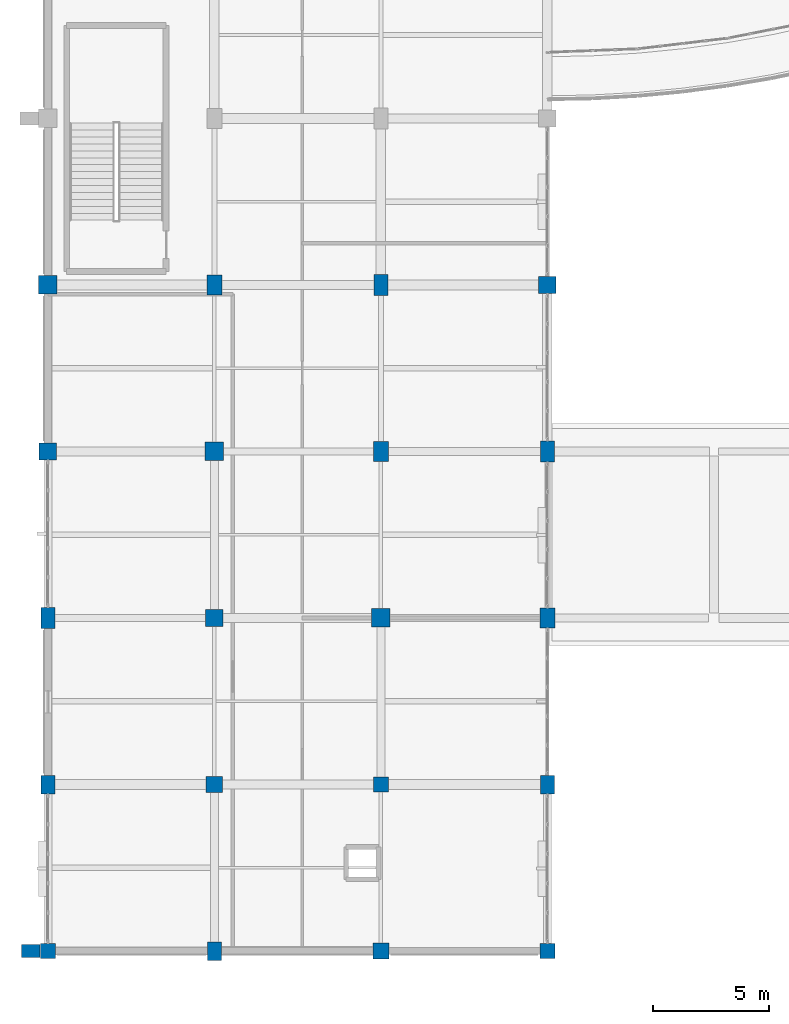
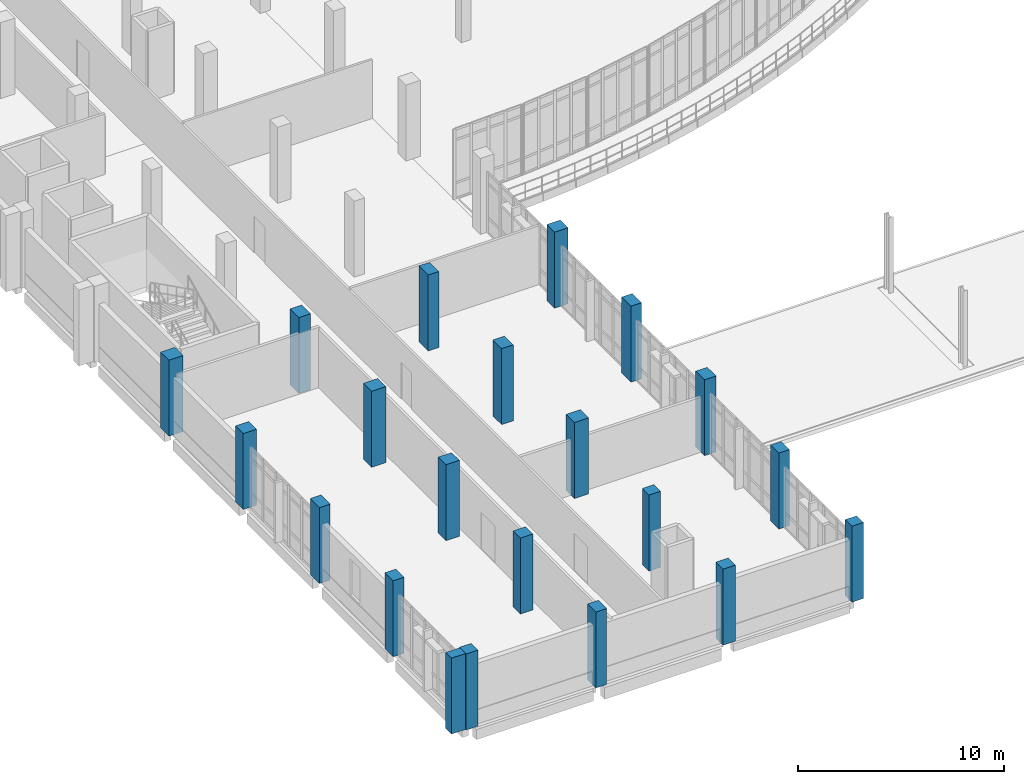
# One storey, part 1 of 134: 21 columns.
"""IFC4 building model written with IfcOpenShell, lengths in metres."""

from ifc_helpers import new_model, si_unit, direction, frame, origin, origin_2d, place, context, subcontext, project, spatial, rectangle, extrude, material, material_profile, profile_set, type_object, element, save


model = new_model("IFC4")

# Units and contexts
model_context = context("Model", 3, precision=1e-05, world=origin(), true_north=direction((0.0, 1.0)))
body_context = subcontext(model_context, "Body", "Model", "MODEL_VIEW")
ifc_project = project(units=[si_unit("LENGTHUNIT", "METRE"), si_unit("AREAUNIT", "SQUARE_METRE"), si_unit("VOLUMEUNIT", "CUBIC_METRE"), si_unit("PLANEANGLEUNIT", "RADIAN"), si_unit("MASSUNIT", "GRAM", prefix="KILO")], contexts=[model_context])

# Site, building, storey
site_placement = place(None, origin())
site = spatial("IfcSite", under=ifc_project, at=site_placement, CompositionType="ELEMENT")
building_placement = place(site_placement, origin())
building = spatial("IfcBuilding", under=site, at=building_placement, Name="Kalluvel Institute of Natural Sciences", CompositionType="ELEMENT")
storey_placement = place(building_placement, frame((0.0, 0.0, 5.39990234375)))
storey = spatial("IfcBuildingStorey", under=building, at=storey_placement, Name="L01", CompositionType="ELEMENT", Elevation=5.39990234375)

# Columns
ifc_material_1 = material(Name="Concrete M50", Category="concrete")
ifc_material_profile_1 = material_profile(ifc_material_1, rectangle(XDim=0.60009765625, YDim=0.800048828125, at=origin_2d()), Name="RC 600x800")
ifc_profile_set_1 = profile_set([ifc_material_profile_1], Name="Concrete M50")
column_type_1 = type_object("IfcColumnType", Name="COL-RC600x800", PredefinedType="COLUMN", material=ifc_profile_set_1)
for number, where, z_axis, x_axis, name in (
    (1, (14.0, 21.199951171875, 0.0), (0.0, 0.0, 1.0), (1.0, 0.0, 0.0), "L01 structural column COL-L01-X140-Y212"),
    (2, (21.199951171875, 14.0, 0.0), (0.0, 0.0, 1.0), (1.0, 0.0, 0.0), "L01 structural column COL-L01-X212-Y140"),
    (3, (35.60009765625, 21.199951171875, 0.0), (0.0, 0.0, 1.0), (1.0, 0.0, 0.0), "L01 structural column COL-L01-X356-Y212"),
):
    element("IfcColumn", number, at=place(storey_placement, frame(where, z_axis=z_axis, x_axis=x_axis)), inside=storey, type_object=column_type_1, Name=name, PredefinedType="COLUMN", context=body_context, shape_type="SweptSolid", body=[
        extrude(rectangle(XDim=0.60009765625, YDim=0.800048828125, at=origin_2d()), origin(), (0.0, 0.0, 1.0), 4.5),
    ])
ifc_material_profile_2 = material_profile(ifc_material_1, rectangle(XDim=0.60009765625, YDim=0.89990234375, at=origin_2d()), Name="RC 600x900")
ifc_profile_set_2 = profile_set([ifc_material_profile_2], Name="Concrete M50")
column_type_2 = type_object("IfcColumnType", Name="COL-RC600x900", PredefinedType="COLUMN", material=ifc_profile_set_2)
for number, where, z_axis, x_axis, name in (
    (4, (14.0, 28.39990234375, 0.0), (0.0, 0.0, 1.0), (1.0, 0.0, 0.0), "L01 structural column COL-L01-X140-Y284"),
    (5, (28.39990234375, 42.800048828125, 0.0), (0.0, 0.0, 1.0), (1.0, 0.0, 0.0), "L01 structural column COL-L01-X284-Y428"),
    (6, (35.60009765625, 35.60009765625, 0.0), (0.0, 0.0, 1.0), (1.0, 0.0, 0.0), "L01 structural column COL-L01-X356-Y356"),
):
    element("IfcColumn", number, at=place(storey_placement, frame(where, z_axis=z_axis, x_axis=x_axis)), inside=storey, type_object=column_type_2, Name=name, PredefinedType="COLUMN", context=body_context, shape_type="SweptSolid", body=[
        extrude(rectangle(XDim=0.60009765625, YDim=0.89990234375, at=origin_2d()), origin(), (0.0, 0.0, 1.0), 4.5),
    ])
ifc_material_2 = material(Name="Concrete M40", Category="concrete")
ifc_material_profile_3 = material_profile(ifc_material_2, rectangle(XDim=0.64990234375, YDim=0.64990234375, at=origin_2d()), Name="RC 650x650")
ifc_profile_set_3 = profile_set([ifc_material_profile_3], Name="Concrete M40")
column_type_3 = type_object("IfcColumnType", Name="COL-RC650", PredefinedType="COLUMN", material=ifc_profile_set_3)
for number, where, z_axis, x_axis, name in (
    (7, (14.0, 14.0, 0.0), (0.0, 0.0, 1.0), (1.0, 0.0, 0.0), "L01 structural column COL-L01-X140-Y140"),
    (8, (28.39990234375, 21.199951171875, 0.0), (0.0, 0.0, 1.0), (1.0, 0.0, 0.0), "L01 structural column COL-L01-X284-Y212"),
    (9, (35.60009765625, 14.0, 0.0), (0.0, 0.0, 1.0), (1.0, 0.0, 0.0), "L01 structural column COL-L01-X356-Y140"),
):
    element("IfcColumn", number, at=place(storey_placement, frame(where, z_axis=z_axis, x_axis=x_axis)), inside=storey, type_object=column_type_3, Name=name, PredefinedType="COLUMN", context=body_context, shape_type="SweptSolid", body=[
        extrude(rectangle(XDim=0.64990234375, YDim=0.64990234375, at=origin_2d()), origin(), (0.0, 0.0, 1.0), 4.5),
    ])
ifc_material_profile_4 = material_profile(ifc_material_1, rectangle(XDim=0.64990234375, YDim=0.85009765625, at=origin_2d()), Name="RC 650x850")
ifc_profile_set_4 = profile_set([ifc_material_profile_4], Name="Concrete M50")
column_type_4 = type_object("IfcColumnType", Name="COL-RC650x850", PredefinedType="COLUMN", material=ifc_profile_set_4)
for number, where, z_axis, x_axis, name in (
    (10, (21.199951171875, 42.800048828125, 0.0), (0.0, 0.0, 1.0), (1.0, 0.0, 0.0), "L01 structural column COL-L01-X212-Y428"),
    (11, (28.39990234375, 35.60009765625, 0.0), (0.0, 0.0, 1.0), (1.0, 0.0, 0.0), "L01 structural column COL-L01-X284-Y356"),
    (12, (35.60009765625, 28.39990234375, 0.0), (0.0, 0.0, 1.0), (1.0, 0.0, 0.0), "L01 structural column COL-L01-X356-Y284"),
):
    element("IfcColumn", number, at=place(storey_placement, frame(where, z_axis=z_axis, x_axis=x_axis)), inside=storey, type_object=column_type_4, Name=name, PredefinedType="COLUMN", context=body_context, shape_type="SweptSolid", body=[
        extrude(rectangle(XDim=0.64990234375, YDim=0.85009765625, at=origin_2d()), origin(), (0.0, 0.0, 1.0), 4.5),
    ])
ifc_material_profile_5 = material_profile(ifc_material_2, rectangle(XDim=0.699951171875, YDim=0.699951171875, at=origin_2d()), Name="RC 700x700")
ifc_profile_set_5 = profile_set([ifc_material_profile_5], Name="Concrete M40")
column_type_5 = type_object("IfcColumnType", Name="COL-RC700", PredefinedType="COLUMN", material=ifc_profile_set_5)
for number, where, z_axis, x_axis, name in (
    (13, (21.199951171875, 21.199951171875, 0.0), (0.0, 0.0, 1.0), (1.0, 0.0, 0.0), "L01 structural column COL-L01-X212-Y212"),
    (14, (28.39990234375, 14.0, 0.0), (0.0, 0.0, 1.0), (1.0, 0.0, 0.0), "L01 structural column COL-L01-X284-Y140"),
):
    element("IfcColumn", number, at=place(storey_placement, frame(where, z_axis=z_axis, x_axis=x_axis)), inside=storey, type_object=column_type_5, Name=name, PredefinedType="COLUMN", context=body_context, shape_type="SweptSolid", body=[
        extrude(rectangle(XDim=0.699951171875, YDim=0.699951171875, at=origin_2d()), origin(), (0.0, 0.0, 1.0), 4.5),
    ])
ifc_material_profile_6 = material_profile(ifc_material_1, rectangle(XDim=0.75, YDim=0.75, at=origin_2d()), Name="RC 750x750")
ifc_profile_set_6 = profile_set([ifc_material_profile_6], Name="Concrete M50")
column_type_6 = type_object("IfcColumnType", Name="COL-RC750", PredefinedType="COLUMN", material=ifc_profile_set_6)
for number, where, z_axis, x_axis, name in (
    (15, (14.0, 35.60009765625, 0.0), (0.0, 0.0, 1.0), (1.0, 0.0, 0.0), "L01 structural column COL-L01-X140-Y356"),
    (16, (21.199951171875, 28.39990234375, 0.0), (0.0, 0.0, 1.0), (1.0, 0.0, 0.0), "L01 structural column COL-L01-X212-Y284"),
    (17, (35.60009765625, 42.800048828125, 0.0), (0.0, 0.0, 1.0), (1.0, 0.0, 0.0), "L01 structural column COL-L01-X356-Y428"),
):
    element("IfcColumn", number, at=place(storey_placement, frame(where, z_axis=z_axis, x_axis=x_axis)), inside=storey, type_object=column_type_6, Name=name, PredefinedType="COLUMN", context=body_context, shape_type="SweptSolid", body=[
        extrude(rectangle(XDim=0.75, YDim=0.75, at=origin_2d()), origin(), (0.0, 0.0, 1.0), 4.5),
    ])
ifc_material_profile_7 = material_profile(ifc_material_1, rectangle(XDim=0.800048828125, YDim=0.800048828125, at=origin_2d()), Name="RC 800x800")
ifc_profile_set_7 = profile_set([ifc_material_profile_7], Name="Concrete M50")
column_type_7 = type_object("IfcColumnType", Name="COL-RC800", PredefinedType="COLUMN", material=ifc_profile_set_7)
for number, where, z_axis, x_axis, name in (
    (18, (14.0, 42.800048828125, 0.0), (0.0, 0.0, 1.0), (1.0, 0.0, 0.0), "L01 structural column COL-L01-X140-Y428"),
    (19, (21.199951171875, 35.60009765625, 0.0), (0.0, 0.0, 1.0), (1.0, 0.0, 0.0), "L01 structural column COL-L01-X212-Y356"),
    (20, (28.39990234375, 28.39990234375, 0.0), (0.0, 0.0, 1.0), (1.0, 0.0, 0.0), "L01 structural column COL-L01-X284-Y284"),
):
    element("IfcColumn", number, at=place(storey_placement, frame(where, z_axis=z_axis, x_axis=x_axis)), inside=storey, type_object=column_type_7, Name=name, PredefinedType="COLUMN", context=body_context, shape_type="SweptSolid", body=[
        extrude(rectangle(XDim=0.800048828125, YDim=0.800048828125, at=origin_2d()), origin(), (0.0, 0.0, 1.0), 4.5),
    ])
ifc_material_3 = material(Name="Sadarahalli Granite Precast Concrete M45", Category="masonry")
ifc_material_profile_8 = material_profile(ifc_material_3, rectangle(XDim=0.550048828125, YDim=0.800048828125, at=origin_2d()), Name="PIL 550x800")
ifc_profile_set_8 = profile_set([ifc_material_profile_8], Name="Sadarahalli Granite Precast Concrete M45")
column_type_8 = type_object("IfcColumnType", Name="PIL-550x800", PredefinedType="PILASTER", material=ifc_profile_set_8)
column_placement = place(storey_placement, frame((13.27197265625, 14.0, 0.0), z_axis=(0.0, 0.0, 1.0), x_axis=(0.0, 1.0, 0.0)))
element("IfcColumn", 21, at=column_placement, inside=storey, type_object=column_type_8, Name="L01 Gothic stepped Sadarahalli granite buttress 73", PredefinedType="PILASTER", context=body_context, shape_type="SweptSolid", body=[
    extrude(rectangle(XDim=0.550048828125, YDim=0.800048828125, at=origin_2d()), origin(), (0.0, 0.0, 1.0), 4.5),
])

save(model, "model.ifc")
